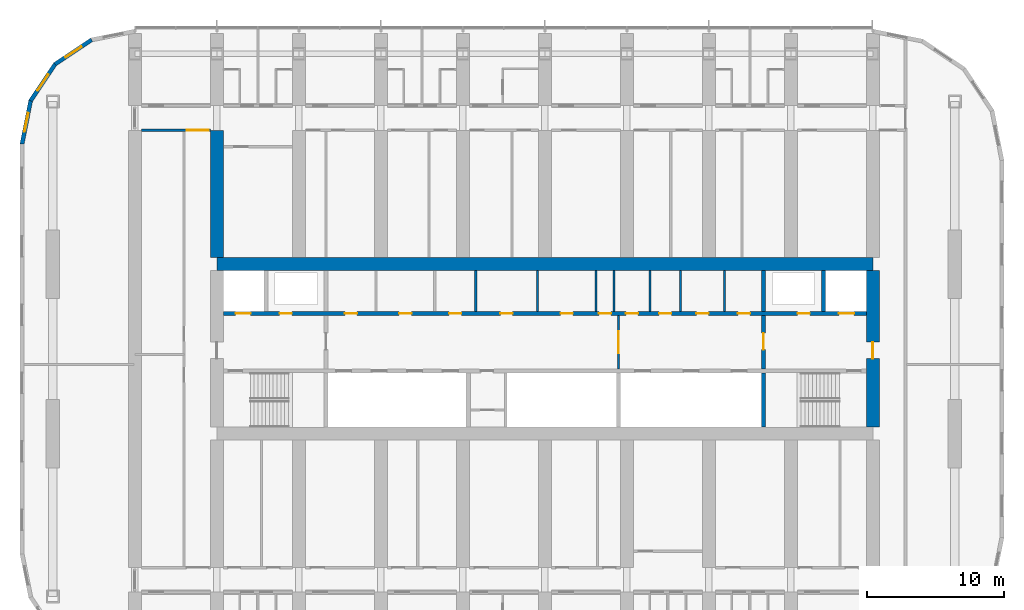
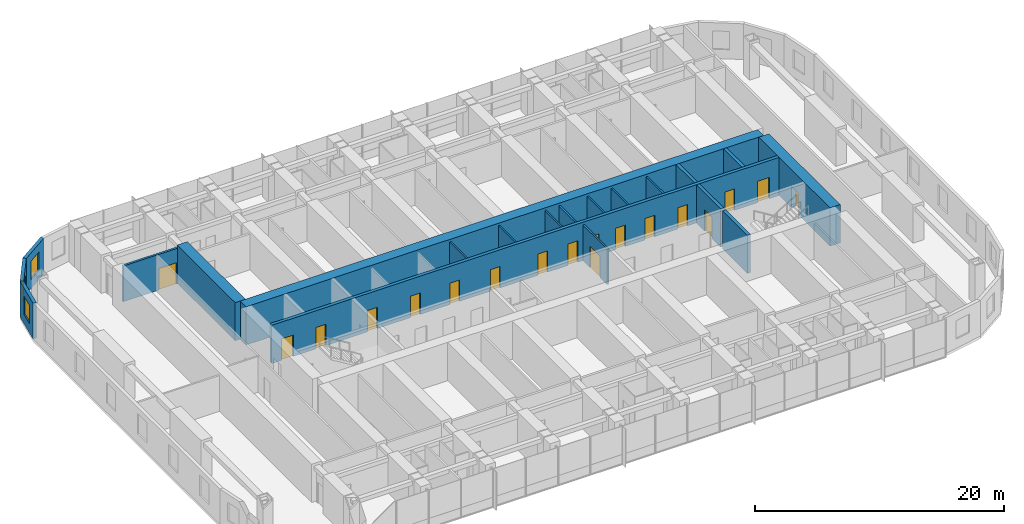
# One storey, part 12 of 21: 20 walls, 18 doors, 3 windows, 21 openings.
"""IFC4 building model written with IfcOpenShell, lengths in metres."""

from ifc_helpers import new_model, si_unit, direction, frame, frame_2d, origin, place, context, subcontext, project, spatial, polyline, rectangle, outline, extrude, material, layer, layer_set, type_object, element, fill, save


model = new_model("IFC4")

# Units and contexts
model_context = context("Model", 3, precision=1e-05, world=origin(), true_north=direction((0.0, 1.0)))
body_context = subcontext(model_context, "Body", "Model", "MODEL_VIEW")
ifc_project = project(units=[si_unit("LENGTHUNIT", "METRE"), si_unit("AREAUNIT", "SQUARE_METRE"), si_unit("VOLUMEUNIT", "CUBIC_METRE"), si_unit("PLANEANGLEUNIT", "RADIAN"), si_unit("MASSUNIT", "GRAM", prefix="KILO")], contexts=[model_context])

# Site, building, storey
site_placement = place(None, origin())
site = spatial("IfcSite", under=ifc_project, at=site_placement, CompositionType="ELEMENT")
building_placement = place(site_placement, origin())
building = spatial("IfcBuilding", under=site, at=building_placement, Name="Orbita Commons", CompositionType="ELEMENT")
storey_placement = place(building_placement, frame((0.0, 0.0, 125.64990234375)))
storey = spatial("IfcBuildingStorey", under=building, at=storey_placement, Name="L31", CompositionType="ELEMENT", Elevation=125.64990234375)

# Wall, openings, doors
ifc_material_1 = material(Name="Concrete C50/60", Category="concrete")
ifc_layer_1 = layer(ifc_material_1, 0.300048828125)
ifc_layer_set_1 = layer_set([ifc_layer_1], Name="Concrete C50/60")
wall_type_1 = type_object("IfcWallType", Name="Core inner wall 300 C50/60", PredefinedType="SHEAR", material=ifc_layer_set_1)
wall_1_placement = place(storey_placement, frame((18.47509765625, 34.60009765625, 0.0), z_axis=(0.0, 0.0, 1.0), x_axis=(1.0, 0.0, 0.0)))
wall_1 = element("IfcWall", 1, at=wall_1_placement, inside=storey, type_object=wall_type_1, Name="Lobby wall north L31", PredefinedType="SHEAR", context=body_context, shape_type="SweptSolid", body=[
    extrude(rectangle(XDim=47.0498046875, YDim=0.300048828125, at=frame_2d((23.52490234375, 0.0))), origin(), (0.0, 0.0, 1.0), 3.75),
])
opening_1_placement = place(wall_1_placement, frame((0.89990234375, 0.0, 0.0)))
opening_1 = element("IfcOpeningElement", 2, at=opening_1_placement, cuts=wall_1, Name="Opening LD01", PredefinedType="OPENING", context=body_context, shape_type="SweptSolid", body=[
    extrude(rectangle(XDim=1.10009765625, YDim=2.10009765625, at=frame_2d((0.550048828125, 1.050048828125))), frame((0.0, 0.159912109375, 0.0), z_axis=(0.0, -1.0, 0.0), x_axis=(1.0, 0.0, 0.0)), (0.0, 0.0, 1.0), 0.320068359375),
])
opening_2_placement = place(wall_1_placement, frame((45.050048828125, 0.0, 0.0)))
opening_2 = element("IfcOpeningElement", 3, at=opening_2_placement, cuts=wall_1, Name="Opening LD01", PredefinedType="OPENING", context=body_context, shape_type="SweptSolid", body=[
    extrude(rectangle(XDim=1.10009765625, YDim=2.10009765625, at=frame_2d((0.550048828125, 1.050048828125))), frame((0.0, 0.159912109375, 0.0), z_axis=(0.0, -1.0, 0.0), x_axis=(1.0, 0.0, 0.0)), (0.0, 0.0, 1.0), 0.320068359375),
])
opening_3_placement = place(wall_1_placement, frame((4.125, 0.0, 0.0)))
opening_3 = element("IfcOpeningElement", 4, at=opening_3_placement, cuts=wall_1, Name="Opening D03", PredefinedType="OPENING", context=body_context, shape_type="SweptSolid", body=[
    extrude(rectangle(XDim=0.89990234375, YDim=2.10009765625, at=frame_2d((0.449951171875, 1.050048828125))), frame((0.0, 0.159912109375, 0.0), z_axis=(0.0, -1.0, 0.0), x_axis=(1.0, 0.0, 0.0)), (0.0, 0.0, 1.0), 0.320068359375),
])
opening_4_placement = place(wall_1_placement, frame((42.02490234375, 0.0, 0.0)))
opening_4 = element("IfcOpeningElement", 5, at=opening_4_placement, cuts=wall_1, Name="Opening D03", PredefinedType="OPENING", context=body_context, shape_type="SweptSolid", body=[
    extrude(rectangle(XDim=0.89990234375, YDim=2.10009765625, at=frame_2d((0.449951171875, 1.050048828125))), frame((0.0, 0.159912109375, 0.0), z_axis=(0.0, -1.0, 0.0), x_axis=(1.0, 0.0, 0.0)), (0.0, 0.0, 1.0), 0.320068359375),
])
opening_5_placement = place(wall_1_placement, frame((8.900390625, 0.0, 0.0)))
opening_5 = element("IfcOpeningElement", 6, at=opening_5_placement, cuts=wall_1, Name="Opening D03", PredefinedType="OPENING", context=body_context, shape_type="SweptSolid", body=[
    extrude(rectangle(XDim=0.89990234375, YDim=2.10009765625, at=frame_2d((0.449951171875, 1.050048828125))), frame((0.0, 0.159912109375, 0.0), z_axis=(0.0, -1.0, 0.0), x_axis=(1.0, 0.0, 0.0)), (0.0, 0.0, 1.0), 0.320068359375),
])
opening_6_placement = place(wall_1_placement, frame((12.873779296875, 0.0, 0.0)))
opening_6 = element("IfcOpeningElement", 7, at=opening_6_placement, cuts=wall_1, Name="Opening D03", PredefinedType="OPENING", context=body_context, shape_type="SweptSolid", body=[
    extrude(rectangle(XDim=0.89990234375, YDim=2.10009765625, at=frame_2d((0.449951171875, 1.050048828125))), frame((0.0, 0.159912109375, 0.0), z_axis=(0.0, -1.0, 0.0), x_axis=(1.0, 0.0, 0.0)), (0.0, 0.0, 1.0), 0.320068359375),
])
opening_7_placement = place(wall_1_placement, frame((16.521240234375, 0.0, 0.0)))
opening_7 = element("IfcOpeningElement", 8, at=opening_7_placement, cuts=wall_1, Name="Opening D03", PredefinedType="OPENING", context=body_context, shape_type="SweptSolid", body=[
    extrude(rectangle(XDim=0.89990234375, YDim=2.10009765625, at=frame_2d((0.449951171875, 1.050048828125))), frame((0.0, 0.159912109375, 0.0), z_axis=(0.0, -1.0, 0.0), x_axis=(1.0, 0.0, 0.0)), (0.0, 0.0, 1.0), 0.320068359375),
])
opening_8_placement = place(wall_1_placement, frame((20.27978515625, 0.0, 0.0)))
opening_8 = element("IfcOpeningElement", 9, at=opening_8_placement, cuts=wall_1, Name="Opening D03", PredefinedType="OPENING", context=body_context, shape_type="SweptSolid", body=[
    extrude(rectangle(XDim=0.89990234375, YDim=2.10009765625, at=frame_2d((0.449951171875, 1.050048828125))), frame((0.0, 0.159912109375, 0.0), z_axis=(0.0, -1.0, 0.0), x_axis=(1.0, 0.0, 0.0)), (0.0, 0.0, 1.0), 0.320068359375),
])
opening_9_placement = place(wall_1_placement, frame((24.685791015625, 0.0, 0.0)))
opening_9 = element("IfcOpeningElement", 10, at=opening_9_placement, cuts=wall_1, Name="Opening D03", PredefinedType="OPENING", context=body_context, shape_type="SweptSolid", body=[
    extrude(rectangle(XDim=0.89990234375, YDim=2.10009765625, at=frame_2d((0.449951171875, 1.050048828125))), frame((0.0, 0.159912109375, 0.0), z_axis=(0.0, -1.0, 0.0), x_axis=(1.0, 0.0, 0.0)), (0.0, 0.0, 1.0), 0.320068359375),
])
opening_10_placement = place(wall_1_placement, frame((27.4833984375, 0.0, 0.0)))
opening_10 = element("IfcOpeningElement", 11, at=opening_10_placement, cuts=wall_1, Name="Opening D03", PredefinedType="OPENING", context=body_context, shape_type="SweptSolid", body=[
    extrude(rectangle(XDim=0.89990234375, YDim=2.10009765625, at=frame_2d((0.449951171875, 1.050048828125))), frame((0.0, 0.159912109375, 0.0), z_axis=(0.0, -1.0, 0.0), x_axis=(1.0, 0.0, 0.0)), (0.0, 0.0, 1.0), 0.320068359375),
])
opening_11_placement = place(wall_1_placement, frame((29.450439453125, 0.0, 0.0)))
opening_11 = element("IfcOpeningElement", 12, at=opening_11_placement, cuts=wall_1, Name="Opening D05", PredefinedType="OPENING", context=body_context, shape_type="SweptSolid", body=[
    extrude(rectangle(XDim=0.89990234375, YDim=2.10009765625, at=frame_2d((0.449951171875, 1.050048828125))), frame((0.0, 0.159912109375, 0.0), z_axis=(0.0, -1.0, 0.0), x_axis=(1.0, 0.0, 0.0)), (0.0, 0.0, 1.0), 0.320068359375),
])
opening_12_placement = place(wall_1_placement, frame((31.8818359375, 0.0, 0.0)))
opening_12 = element("IfcOpeningElement", 13, at=opening_12_placement, cuts=wall_1, Name="Opening D05", PredefinedType="OPENING", context=body_context, shape_type="SweptSolid", body=[
    extrude(rectangle(XDim=0.89990234375, YDim=2.10009765625, at=frame_2d((0.449951171875, 1.050048828125))), frame((0.0, 0.159912109375, 0.0), z_axis=(0.0, -1.0, 0.0), x_axis=(1.0, 0.0, 0.0)), (0.0, 0.0, 1.0), 0.320068359375),
])
opening_13_placement = place(wall_1_placement, frame((34.6171875, 0.0, 0.0)))
opening_13 = element("IfcOpeningElement", 14, at=opening_13_placement, cuts=wall_1, Name="Opening D05", PredefinedType="OPENING", context=body_context, shape_type="SweptSolid", body=[
    extrude(rectangle(XDim=0.89990234375, YDim=2.10009765625, at=frame_2d((0.449951171875, 1.050048828125))), frame((0.0, 0.159912109375, 0.0), z_axis=(0.0, -1.0, 0.0), x_axis=(1.0, 0.0, 0.0)), (0.0, 0.0, 1.0), 0.320068359375),
])
opening_14_placement = place(wall_1_placement, frame((37.656494140625, 0.0, 0.0)))
opening_14 = element("IfcOpeningElement", 15, at=opening_14_placement, cuts=wall_1, Name="Opening D03", PredefinedType="OPENING", context=body_context, shape_type="SweptSolid", body=[
    extrude(rectangle(XDim=0.89990234375, YDim=2.10009765625, at=frame_2d((0.449951171875, 1.050048828125))), frame((0.0, 0.159912109375, 0.0), z_axis=(0.0, -1.0, 0.0), x_axis=(1.0, 0.0, 0.0)), (0.0, 0.0, 1.0), 0.320068359375),
])
ifc_material_2 = material(Name="Steel-faced fire door leaf", Category="steel")
door_type_1 = type_object("IfcDoorType", Name="Firefighting lift landing door 1100x2100", OperationType="DOUBLE_DOOR_SLIDING", PredefinedType="DOOR", material=ifc_material_2)
door_1_placement = place(opening_1_placement, origin())
door_1 = element("IfcDoor", 16, at=door_1_placement, inside=storey, type_object=door_type_1, Name="Firefighting lift FL1 landing door", OperationType="DOUBLE_DOOR_SLIDING", OverallHeight=2.10009765625, OverallWidth=1.10009765625, PredefinedType="DOOR", context=body_context, shape_type="SweptSolid", body=[
    extrude(rectangle(XDim=1.10009765625, YDim=2.10009765625, at=frame_2d((0.550048828125, 1.050048828125))), frame((0.0, 0.02490234375, 0.0), z_axis=(0.0, -1.0, 0.0), x_axis=(1.0, 0.0, 0.0)), (0.0, 0.0, 1.0), 0.050048828125),
])
fill(opening_1, door_1)
door_2_placement = place(opening_2_placement, origin())
door_2 = element("IfcDoor", 17, at=door_2_placement, inside=storey, type_object=door_type_1, Name="Firefighting lift FL2 landing door", OperationType="DOUBLE_DOOR_SLIDING", OverallHeight=2.10009765625, OverallWidth=1.10009765625, PredefinedType="DOOR", context=body_context, shape_type="SweptSolid", body=[
    extrude(rectangle(XDim=1.10009765625, YDim=2.10009765625, at=frame_2d((0.550048828125, 1.050048828125))), frame((0.0, 0.02490234375, 0.0), z_axis=(0.0, -1.0, 0.0), x_axis=(1.0, 0.0, 0.0)), (0.0, 0.0, 1.0), 0.050048828125),
])
fill(opening_2, door_2)
ifc_material_3 = material(Name="Steel-faced fire door leaf", Category="steel")
door_type_2 = type_object("IfcDoorType", Name="Service door 20 min 900x2100", OperationType="SINGLE_SWING_LEFT", PredefinedType="DOOR", material=ifc_material_3)
door_3_placement = place(opening_11_placement, origin())
door_3 = element("IfcDoor", 18, at=door_3_placement, inside=storey, type_object=door_type_2, Name="Accessible WC door", OperationType="SINGLE_SWING_LEFT", OverallHeight=2.10009765625, OverallWidth=0.89990234375, PredefinedType="DOOR", context=body_context, shape_type="SweptSolid", body=[
    extrude(rectangle(XDim=0.89990234375, YDim=2.10009765625, at=frame_2d((0.449951171875, 1.050048828125))), frame((0.0, 0.02490234375, 0.0), z_axis=(0.0, -1.0, 0.0), x_axis=(1.0, 0.0, 0.0)), (0.0, 0.0, 1.0), 0.050048828125),
])
fill(opening_11, door_3)
door_4_placement = place(opening_12_placement, origin())
door_4 = element("IfcDoor", 19, at=door_4_placement, inside=storey, type_object=door_type_2, Name="Staff WC door", OperationType="SINGLE_SWING_LEFT", OverallHeight=2.10009765625, OverallWidth=0.89990234375, PredefinedType="DOOR", context=body_context, shape_type="SweptSolid", body=[
    extrude(rectangle(XDim=0.89990234375, YDim=2.10009765625, at=frame_2d((0.449951171875, 1.050048828125))), frame((0.0, 0.02490234375, 0.0), z_axis=(0.0, -1.0, 0.0), x_axis=(1.0, 0.0, 0.0)), (0.0, 0.0, 1.0), 0.050048828125),
])
fill(opening_12, door_4)
door_5_placement = place(opening_13_placement, origin())
door_5 = element("IfcDoor", 20, at=door_5_placement, inside=storey, type_object=door_type_2, Name="Guest pantry door", OperationType="SINGLE_SWING_LEFT", OverallHeight=2.10009765625, OverallWidth=0.89990234375, PredefinedType="DOOR", context=body_context, shape_type="SweptSolid", body=[
    extrude(rectangle(XDim=0.89990234375, YDim=2.10009765625, at=frame_2d((0.449951171875, 1.050048828125))), frame((0.0, 0.02490234375, 0.0), z_axis=(0.0, -1.0, 0.0), x_axis=(1.0, 0.0, 0.0)), (0.0, 0.0, 1.0), 0.050048828125),
])
fill(opening_13, door_5)
ifc_material_4 = material(Name="Steel-faced fire door leaf", Category="steel")
door_type_3 = type_object("IfcDoorType", Name="Shaft access door 90 min 900x2100", OperationType="SINGLE_SWING_LEFT", PredefinedType="DOOR", material=ifc_material_4)
door_6_placement = place(opening_3_placement, origin())
door_6 = element("IfcDoor", 21, at=door_6_placement, inside=storey, type_object=door_type_3, Name="Riser door west", OperationType="SINGLE_SWING_LEFT", OverallHeight=2.10009765625, OverallWidth=0.89990234375, PredefinedType="DOOR", context=body_context, shape_type="SweptSolid", body=[
    extrude(rectangle(XDim=0.89990234375, YDim=2.10009765625, at=frame_2d((0.449951171875, 1.050048828125))), frame((0.0, 0.02490234375, 0.0), z_axis=(0.0, -1.0, 0.0), x_axis=(1.0, 0.0, 0.0)), (0.0, 0.0, 1.0), 0.050048828125),
])
fill(opening_3, door_6)
door_7_placement = place(opening_4_placement, origin())
door_7 = element("IfcDoor", 22, at=door_7_placement, inside=storey, type_object=door_type_3, Name="Riser door east", OperationType="SINGLE_SWING_LEFT", OverallHeight=2.10009765625, OverallWidth=0.89990234375, PredefinedType="DOOR", context=body_context, shape_type="SweptSolid", body=[
    extrude(rectangle(XDim=0.89990234375, YDim=2.10009765625, at=frame_2d((0.449951171875, 1.050048828125))), frame((0.0, 0.02490234375, 0.0), z_axis=(0.0, -1.0, 0.0), x_axis=(1.0, 0.0, 0.0)), (0.0, 0.0, 1.0), 0.050048828125),
])
fill(opening_4, door_7)
door_8_placement = place(opening_5_placement, origin())
door_8 = element("IfcDoor", 23, at=door_8_placement, inside=storey, type_object=door_type_3, Name="Cleaners store door", OperationType="SINGLE_SWING_LEFT", OverallHeight=2.10009765625, OverallWidth=0.89990234375, PredefinedType="DOOR", context=body_context, shape_type="SweptSolid", body=[
    extrude(rectangle(XDim=0.89990234375, YDim=2.10009765625, at=frame_2d((0.449951171875, 1.050048828125))), frame((0.0, 0.02490234375, 0.0), z_axis=(0.0, -1.0, 0.0), x_axis=(1.0, 0.0, 0.0)), (0.0, 0.0, 1.0), 0.050048828125),
])
fill(opening_5, door_8)
door_9_placement = place(opening_6_placement, origin())
door_9 = element("IfcDoor", 24, at=door_9_placement, inside=storey, type_object=door_type_3, Name="Refuse chute room door", OperationType="SINGLE_SWING_LEFT", OverallHeight=2.10009765625, OverallWidth=0.89990234375, PredefinedType="DOOR", context=body_context, shape_type="SweptSolid", body=[
    extrude(rectangle(XDim=0.89990234375, YDim=2.10009765625, at=frame_2d((0.449951171875, 1.050048828125))), frame((0.0, 0.02490234375, 0.0), z_axis=(0.0, -1.0, 0.0), x_axis=(1.0, 0.0, 0.0)), (0.0, 0.0, 1.0), 0.050048828125),
])
fill(opening_6, door_9)
door_10_placement = place(opening_7_placement, origin())
door_10 = element("IfcDoor", 25, at=door_10_placement, inside=storey, type_object=door_type_3, Name="Electrical riser room door", OperationType="SINGLE_SWING_LEFT", OverallHeight=2.10009765625, OverallWidth=0.89990234375, PredefinedType="DOOR", context=body_context, shape_type="SweptSolid", body=[
    extrude(rectangle(XDim=0.89990234375, YDim=2.10009765625, at=frame_2d((0.449951171875, 1.050048828125))), frame((0.0, 0.02490234375, 0.0), z_axis=(0.0, -1.0, 0.0), x_axis=(1.0, 0.0, 0.0)), (0.0, 0.0, 1.0), 0.050048828125),
])
fill(opening_7, door_10)
door_11_placement = place(opening_8_placement, origin())
door_11 = element("IfcDoor", 26, at=door_11_placement, inside=storey, type_object=door_type_3, Name="IT room door", OperationType="SINGLE_SWING_LEFT", OverallHeight=2.10009765625, OverallWidth=0.89990234375, PredefinedType="DOOR", context=body_context, shape_type="SweptSolid", body=[
    extrude(rectangle(XDim=0.89990234375, YDim=2.10009765625, at=frame_2d((0.449951171875, 1.050048828125))), frame((0.0, 0.02490234375, 0.0), z_axis=(0.0, -1.0, 0.0), x_axis=(1.0, 0.0, 0.0)), (0.0, 0.0, 1.0), 0.050048828125),
])
fill(opening_8, door_11)
door_12_placement = place(opening_9_placement, origin())
door_12 = element("IfcDoor", 27, at=door_12_placement, inside=storey, type_object=door_type_3, Name="Communications room door", OperationType="SINGLE_SWING_LEFT", OverallHeight=2.10009765625, OverallWidth=0.89990234375, PredefinedType="DOOR", context=body_context, shape_type="SweptSolid", body=[
    extrude(rectangle(XDim=0.89990234375, YDim=2.10009765625, at=frame_2d((0.449951171875, 1.050048828125))), frame((0.0, 0.02490234375, 0.0), z_axis=(0.0, -1.0, 0.0), x_axis=(1.0, 0.0, 0.0)), (0.0, 0.0, 1.0), 0.050048828125),
])
fill(opening_9, door_12)
door_13_placement = place(opening_10_placement, origin())
door_13 = element("IfcDoor", 28, at=door_13_placement, inside=storey, type_object=door_type_3, Name="Stair pressurisation duct door", OperationType="SINGLE_SWING_LEFT", OverallHeight=2.10009765625, OverallWidth=0.89990234375, PredefinedType="DOOR", context=body_context, shape_type="SweptSolid", body=[
    extrude(rectangle(XDim=0.89990234375, YDim=2.10009765625, at=frame_2d((0.449951171875, 1.050048828125))), frame((0.0, 0.02490234375, 0.0), z_axis=(0.0, -1.0, 0.0), x_axis=(1.0, 0.0, 0.0)), (0.0, 0.0, 1.0), 0.050048828125),
])
fill(opening_10, door_13)
door_14_placement = place(opening_14_placement, origin())
door_14 = element("IfcDoor", 29, at=door_14_placement, inside=storey, type_object=door_type_3, Name="Linen store door", OperationType="SINGLE_SWING_LEFT", OverallHeight=2.10009765625, OverallWidth=0.89990234375, PredefinedType="DOOR", context=body_context, shape_type="SweptSolid", body=[
    extrude(rectangle(XDim=0.89990234375, YDim=2.10009765625, at=frame_2d((0.449951171875, 1.050048828125))), frame((0.0, 0.02490234375, 0.0), z_axis=(0.0, -1.0, 0.0), x_axis=(1.0, 0.0, 0.0)), (0.0, 0.0, 1.0), 0.050048828125),
])
fill(opening_14, door_14)

# Wall
wall_2_placement = place(storey_placement, frame((58.0, 26.27490234375, 0.0), z_axis=(0.0, 0.0, 1.0), x_axis=(0.0, 1.0, 0.0)))
element("IfcWall", 30, at=wall_2_placement, inside=storey, type_object=wall_type_1, Name="Stair S2 wall L31", PredefinedType="SHEAR", context=body_context, shape_type="SweptSolid", body=[
    extrude(rectangle(XDim=3.97509765625, YDim=0.300048828125, at=frame_2d((1.987548828125, 0.0))), origin(), (0.0, 0.0, 1.0), 3.75),
])

# Wall, opening, door
wall_3_placement = place(storey_placement, frame((58.0, 30.550048828125, 0.0), z_axis=(0.0, 0.0, 1.0), x_axis=(0.0, 1.0, 0.0)))
wall_3 = element("IfcWall", 31, at=wall_3_placement, inside=storey, type_object=wall_type_1, Name="Firefighting lobby wall east L31", PredefinedType="SHEAR", context=body_context, shape_type="SweptSolid", body=[
    extrude(rectangle(XDim=3.89990234375, YDim=0.300048828125, at=frame_2d((1.949951171875, 0.0))), origin(), (0.0, 0.0, 1.0), 3.75),
])
opening_15_placement = place(wall_3_placement, frame((1.39990234375, 0.0, 0.0)))
opening_15 = element("IfcOpeningElement", 32, at=opening_15_placement, cuts=wall_3, Name="Opening D04", PredefinedType="OPENING", context=body_context, shape_type="SweptSolid", body=[
    extrude(rectangle(XDim=1.199951171875, YDim=2.10009765625, at=frame_2d((0.60009765625, 1.050048828125))), frame((0.0, 0.159912109375, 0.0), z_axis=(0.0, -1.0, 0.0), x_axis=(1.0, 0.0, 0.0)), (0.0, 0.0, 1.0), 0.320068359375),
])
ifc_material_5 = material(Name="Steel-faced fire door leaf", Category="steel")
door_type_4 = type_object("IfcDoorType", Name="Service door 20 min 1200x2100", OperationType="SINGLE_SWING_LEFT", PredefinedType="DOOR", material=ifc_material_5)
door_15_placement = place(opening_15_placement, origin())
door_15 = element("IfcDoor", 33, at=door_15_placement, inside=storey, type_object=door_type_4, Name="Lift lobby door east", OperationType="SINGLE_SWING_LEFT", OverallHeight=2.10009765625, OverallWidth=1.199951171875, PredefinedType="DOOR", context=body_context, shape_type="SweptSolid", body=[
    extrude(rectangle(XDim=1.199951171875, YDim=2.10009765625, at=frame_2d((0.60009765625, 1.050048828125))), frame((0.0, 0.02490234375, 0.0), z_axis=(0.0, -1.0, 0.0), x_axis=(1.0, 0.0, 0.0)), (0.0, 0.0, 1.0), 0.050048828125),
])
fill(opening_15, door_15)

# Walls
for number, where, z_axis, x_axis, name in (
    (34, (62.39990234375, 34.75, 0.0), (0.0, 0.0, 1.0), (0.0, 1.0, 0.0), "Firefighting lift FL2 shaft wall L31"),
    (35, (58.0, 34.75, 0.0), (0.0, 0.0, 1.0), (0.0, 1.0, 0.0), "Riser wall east L31"),
):
    element("IfcWall", number, at=place(storey_placement, frame(where, z_axis=z_axis, x_axis=x_axis)), inside=storey, type_object=wall_type_1, Name=name, PredefinedType="SHEAR", context=body_context, shape_type="SweptSolid", body=[
        extrude(rectangle(XDim=2.97509765625, YDim=0.300048828125, at=frame_2d((1.487548828125, 0.0))), origin(), (0.0, 0.0, 1.0), 3.75),
    ])

# Wall, opening, door
ifc_material_6 = material(Name="Concrete blockwork", Category="masonry")
ifc_layer_2 = layer(ifc_material_6, 0.14990234375)
ifc_layer_set_2 = layer_set([ifc_layer_2], Name="Concrete blockwork")
wall_type_2 = type_object("IfcWallType", Name="Core partition 150 blockwork", PredefinedType="SOLIDWALL", material=ifc_layer_set_2)
wall_4_placement = place(storey_placement, frame((47.39990234375, 30.550048828125, 0.0), z_axis=(0.0, 0.0, 1.0), x_axis=(0.0, 1.0, 0.0)))
wall_4 = element("IfcWall", 36, at=wall_4_placement, inside=storey, type_object=wall_type_2, Name="Core partition 150 blockwork L31", PredefinedType="SOLIDWALL", context=body_context, shape_type="SweptSolid", body=[
    extrude(rectangle(XDim=3.89990234375, YDim=0.14990234375, at=frame_2d((1.949951171875, 0.0))), origin(), (0.0, 0.0, 1.0), 3.5),
])
opening_16_placement = place(wall_4_placement, frame((1.14990234375, 0.0, 0.0)))
opening_16 = element("IfcOpeningElement", 37, at=opening_16_placement, cuts=wall_4, Name="Opening D10", PredefinedType="OPENING", context=body_context, shape_type="SweptSolid", body=[
    extrude(rectangle(XDim=1.60009765625, YDim=2.10009765625, at=frame_2d((0.800048828125, 1.050048828125))), frame((0.0, 0.0849609375, 0.0), z_axis=(0.0, -1.0, 0.0), x_axis=(1.0, 0.0, 0.0)), (0.0, 0.0, 1.0), 0.169921875),
])
ifc_material_7 = material(Name="Steel-faced fire door leaf", Category="steel")
door_type_5 = type_object("IfcDoorType", Name="Double corridor door 20 min 1600x2100", OperationType="DOUBLE_DOOR_SINGLE_SWING", PredefinedType="DOOR", material=ifc_material_7)
door_16_placement = place(opening_16_placement, origin())
door_16 = element("IfcDoor", 38, at=door_16_placement, inside=storey, type_object=door_type_5, Name="Lift lobby screen doors", OperationType="DOUBLE_DOOR_SINGLE_SWING", OverallHeight=2.10009765625, OverallWidth=1.60009765625, PredefinedType="DOOR", context=body_context, shape_type="SweptSolid", body=[
    extrude(rectangle(XDim=1.60009765625, YDim=2.10009765625, at=frame_2d((0.800048828125, 1.050048828125))), frame((0.0, 0.02490234375, 0.0), z_axis=(0.0, -1.0, 0.0), x_axis=(1.0, 0.0, 0.0)), (0.0, 0.0, 1.0), 0.050048828125),
])
fill(opening_16, door_16)

# Walls
for number, where, z_axis, x_axis, name in (
    (39, (36.9462890625, 34.75, 0.0), (0.0, 0.0, 1.0), (0.0, 1.0, 0.0), "Core partition 150 blockwork L31"),
    (40, (41.463134765625, 34.75, 0.0), (0.0, 0.0, 1.0), (0.0, 1.0, 0.0), "Core partition 150 blockwork L31"),
    (41, (45.75830078125, 34.75, 0.0), (0.0, 0.0, 1.0), (0.0, 1.0, 0.0), "Core partition 150 blockwork L31"),
    (42, (47.058349609375, 34.75, 0.0), (0.0, 0.0, 1.0), (0.0, 1.0, 0.0), "Core partition 150 blockwork L31"),
    (43, (49.6923828125, 34.75, 0.0), (0.0, 0.0, 1.0), (0.0, 1.0, 0.0), "Core partition 150 blockwork L31"),
    (44, (51.92138671875, 34.75, 0.0), (0.0, 0.0, 1.0), (0.0, 1.0, 0.0), "Core partition 150 blockwork L31"),
    (45, (55.163330078125, 34.75, 0.0), (0.0, 0.0, 1.0), (0.0, 1.0, 0.0), "Core partition 150 blockwork L31"),
):
    element("IfcWall", number, at=place(storey_placement, frame(where, z_axis=z_axis, x_axis=x_axis)), inside=storey, type_object=wall_type_2, Name=name, PredefinedType="SOLIDWALL", context=body_context, shape_type="SweptSolid", body=[
        extrude(rectangle(XDim=2.97509765625, YDim=0.14990234375, at=frame_2d((1.487548828125, 0.0))), origin(), (0.0, 0.0, 1.0), 3.5),
    ])
ifc_material_8 = material(Name="Concrete C50/60", Category="concrete")
ifc_layer_3 = layer(ifc_material_8, 0.949951171875)
ifc_layer_set_3 = layer_set([ifc_layer_3], Name="Concrete C50/60")
wall_type_3 = type_object("IfcWallType", Name="Core wall 950 C50/60", PredefinedType="SHEAR", material=ifc_layer_set_3)
wall_5_placement = place(storey_placement, frame((18.0, 38.199951171875, 0.0), z_axis=(0.0, 0.0, 1.0), x_axis=(1.0, 0.0, 0.0)))
element("IfcWall", 46, at=wall_5_placement, inside=storey, type_object=wall_type_3, Name="Core spine wall north L31", PredefinedType="SHEAR", context=body_context, shape_type="SweptSolid", body=[
    extrude(rectangle(XDim=48.0, YDim=0.949951171875, at=frame_2d((24.0, 0.0))), origin(), (0.0, 0.0, 1.0), 3.75),
])

# Wall, opening, door
wall_6_placement = place(storey_placement, frame((66.0, 26.27490234375, 0.0), z_axis=(0.0, 0.0, 1.0), x_axis=(0.0, 1.0, 0.0)))
wall_6 = element("IfcWall", 47, at=wall_6_placement, inside=storey, type_object=wall_type_3, Name="Core end wall east L31", PredefinedType="SHEAR", context=body_context, shape_type="SweptSolid", body=[
    extrude(rectangle(XDim=11.4501953125, YDim=0.949951171875, at=frame_2d((5.72509765625, 0.0))), origin(), (0.0, 0.0, 1.0), 3.75),
])
opening_17_placement = place(wall_6_placement, frame((5.02490234375, 0.0, 0.0)))
opening_17 = element("IfcOpeningElement", 48, at=opening_17_placement, cuts=wall_6, Name="Opening D01", PredefinedType="OPENING", context=body_context, shape_type="SweptSolid", body=[
    extrude(rectangle(XDim=1.199951171875, YDim=2.10009765625, at=frame_2d((0.60009765625, 1.050048828125))), frame((0.0, 0.48486328125, 0.0), z_axis=(0.0, -1.0, 0.0), x_axis=(1.0, 0.0, 0.0)), (0.0, 0.0, 1.0), 0.969970703125),
])
ifc_material_9 = material(Name="Steel-faced fire door leaf", Category="steel")
door_type_6 = type_object("IfcDoorType", Name="Fire door 90 min 1200x2100", OperationType="SINGLE_SWING_LEFT", PredefinedType="DOOR", material=ifc_material_9)
door_17_placement = place(opening_17_placement, origin())
door_17 = element("IfcDoor", 49, at=door_17_placement, inside=storey, type_object=door_type_6, Name="Firefighting lobby east door", OperationType="SINGLE_SWING_LEFT", OverallHeight=2.10009765625, OverallWidth=1.199951171875, PredefinedType="DOOR", context=body_context, shape_type="SweptSolid", body=[
    extrude(rectangle(XDim=1.199951171875, YDim=2.10009765625, at=frame_2d((0.60009765625, 1.050048828125))), frame((0.0, 0.02490234375, 0.0), z_axis=(0.0, -1.0, 0.0), x_axis=(1.0, 0.0, 0.0)), (0.0, 0.0, 1.0), 0.050048828125),
])
fill(opening_17, door_17)

ifc_material_10 = material(Name="Hollow concrete block 200", Category="concrete")
ifc_layer_4 = layer(ifc_material_10, 0.199951171875)
ifc_layer_set_4 = layer_set([ifc_layer_4], Name="Hollow concrete block 200")
wall_type_4 = type_object("IfcWallType", Name="Corridor wall 200 hollow concrete block", PredefinedType="SOLIDWALL", material=ifc_layer_set_4)
wall_7_placement = place(storey_placement, frame((12.47509765625, 48.0, 0.0), z_axis=(0.0, 0.0, 1.0), x_axis=(1.0, 0.0, 0.0)))
wall_7 = element("IfcWall", 50, at=wall_7_placement, inside=storey, type_object=wall_type_4, Name="Corridor wall 200 hollow concrete block L31", PredefinedType="SOLIDWALL", context=body_context, shape_type="SweptSolid", body=[
    extrude(rectangle(XDim=5.0498046875, YDim=0.199951171875, at=frame_2d((2.52490234375, 0.0))), origin(), (0.0, 0.0, 1.0), 3.5),
])
opening_18_placement = place(wall_7_placement, frame((3.324951171875, 0.0, 0.0)))
opening_18 = element("IfcOpeningElement", 51, at=opening_18_placement, cuts=wall_7, Name="Opening D10", PredefinedType="OPENING", context=body_context, shape_type="SweptSolid", body=[
    extrude(rectangle(XDim=1.60009765625, YDim=2.10009765625, at=frame_2d((0.800048828125, 1.050048828125))), frame((0.0, 0.10986328125, 0.0), z_axis=(0.0, -1.0, 0.0), x_axis=(1.0, 0.0, 0.0)), (0.0, 0.0, 1.0), 0.219970703125),
])
door_18_placement = place(opening_18_placement, origin())
door_18 = element("IfcDoor", 52, at=door_18_placement, inside=storey, type_object=door_type_5, Name="Cross corridor doors", OperationType="DOUBLE_DOOR_SINGLE_SWING", OverallHeight=2.10009765625, OverallWidth=1.60009765625, PredefinedType="DOOR", context=body_context, shape_type="SweptSolid", body=[
    extrude(rectangle(XDim=1.60009765625, YDim=2.10009765625, at=frame_2d((0.800048828125, 1.050048828125))), frame((0.0, 0.02490234375, 0.0), z_axis=(0.0, -1.0, 0.0), x_axis=(1.0, 0.0, 0.0)), (0.0, 0.0, 1.0), 0.050048828125),
])
fill(opening_18, door_18)

# Wall
ifc_material_11 = material(Name="Concrete C50/60", Category="concrete")
ifc_layer_5 = layer(ifc_material_11, 0.949951171875)
ifc_layer_set_5 = layer_set([ifc_layer_5], Name="Concrete C50/60")
wall_type_5 = type_object("IfcWallType", Name="Cross wall 950 C50/60", PredefinedType="SHEAR", material=ifc_layer_set_5)
wall_8_placement = place(storey_placement, frame((18.0, 38.675048828125, 0.0), z_axis=(0.0, 0.0, 1.0), x_axis=(0.0, 1.0, 0.0)))
element("IfcWall", 53, at=wall_8_placement, inside=storey, type_object=wall_type_5, Name="Cross wall 4 north inner L31", PredefinedType="SHEAR", context=body_context, shape_type="SweptSolid", body=[
    extrude(rectangle(XDim=9.324951171875, YDim=0.949951171875, at=frame_2d((4.66259765625, 0.0))), origin(), (0.0, 0.0, 1.0), 3.75),
])

# Wall, opening, window
ifc_material_12 = material(Name="Precast concrete C40/50, white board-marked finish", Category="concrete")
ifc_layer_6 = layer(ifc_material_12, 0.300048828125)
ifc_layer_set_6 = layer_set([ifc_layer_6], Name="Precast concrete C40/50, white board-marked finish")
wall_type_6 = type_object("IfcWallType", Name="Precast concrete end shield 300", PredefinedType="SOLIDWALL", material=ifc_layer_set_6)
wall_9_placement = place(storey_placement, frame((8.843017578125, 54.6220703125, 0.0), z_axis=(0.0, 0.0, 1.0), x_axis=(-0.831443069936, -0.555609954424, 0.0)))
wall_9 = element("IfcWall", 54, at=wall_9_placement, inside=storey, type_object=wall_type_6, Name="End shield NW chord 2 L31", PredefinedType="SOLIDWALL", context=body_context, shape_type="SweptSolid", body=[
    extrude(outline(polyline([(-0.02978515625, -0.14990234375), (3.2490234375, -0.14990234375), (3.189453125, 0.14990234375), (0.02978515625, 0.14990234375), (-0.02978515625, -0.14990234375)])), origin(), (0.0, 0.0, 1.0), 3.5),
])
opening_19_placement = place(wall_9_placement, frame((0.909423828125, 0.0, 0.89990234375)))
opening_19 = element("IfcOpeningElement", 55, at=opening_19_placement, cuts=wall_9, Name="Opening W02", PredefinedType="OPENING", context=body_context, shape_type="SweptSolid", body=[
    extrude(rectangle(XDim=1.39990234375, YDim=1.800048828125, at=frame_2d((0.699951171875, 0.89990234375))), frame((0.0, 0.159912109375, 0.0), z_axis=(0.0, -1.0, 0.0), x_axis=(1.0, 0.0, 0.0)), (0.0, 0.0, 1.0), 0.320068359375),
])
ifc_material_13 = material(Name="Aluminium frame, clear double glazing", Category="aluminium")
window_type = type_object("IfcWindowType", Name="Deep-set window 1400x1800", PartitioningType="SINGLE_PANEL", PredefinedType="WINDOW", material=ifc_material_13)
window_1_placement = place(opening_19_placement, origin())
window_1 = element("IfcWindow", 56, at=window_1_placement, inside=storey, type_object=window_type, Name="Window L31-NW1", OverallHeight=1.800048828125, OverallWidth=1.39990234375, PartitioningType="SINGLE_PANEL", PredefinedType="WINDOW", context=body_context, shape_type="SweptSolid", body=[
    extrude(rectangle(XDim=1.39990234375, YDim=1.800048828125, at=frame_2d((0.699951171875, 0.89990234375))), frame((0.0, 0.030029296875, 0.0), z_axis=(0.0, -1.0, 0.0), x_axis=(1.0, 0.0, 0.0)), (0.0, 0.0, 1.0), 0.06005859375),
])
fill(opening_19, window_1)

wall_10_placement = place(storey_placement, frame((6.16650390625, 52.83349609375, 0.0), z_axis=(0.0, 0.0, 1.0), x_axis=(-0.555609954424, -0.831443069936, 0.0)))
wall_10 = element("IfcWall", 57, at=wall_10_placement, inside=storey, type_object=wall_type_6, Name="End shield NW chord 3 L31", PredefinedType="SOLIDWALL", context=body_context, shape_type="SweptSolid", body=[
    extrude(outline(polyline([(-0.02978515625, -0.14990234375), (3.2490234375, -0.14990234375), (3.189453125, 0.14990234375), (0.02978515625, 0.14990234375), (-0.02978515625, -0.14990234375)])), origin(), (0.0, 0.0, 1.0), 3.5),
])
opening_20_placement = place(wall_10_placement, frame((0.909423828125, 0.0, 0.89990234375)))
opening_20 = element("IfcOpeningElement", 58, at=opening_20_placement, cuts=wall_10, Name="Opening W02", PredefinedType="OPENING", context=body_context, shape_type="SweptSolid", body=[
    extrude(rectangle(XDim=1.39990234375, YDim=1.800048828125, at=frame_2d((0.699951171875, 0.89990234375))), frame((0.0, 0.159912109375, 0.0), z_axis=(0.0, -1.0, 0.0), x_axis=(1.0, 0.0, 0.0)), (0.0, 0.0, 1.0), 0.320068359375),
])
window_2_placement = place(opening_20_placement, origin())
window_2 = element("IfcWindow", 59, at=window_2_placement, inside=storey, type_object=window_type, Name="Window L31-NW2", OverallHeight=1.800048828125, OverallWidth=1.39990234375, PartitioningType="SINGLE_PANEL", PredefinedType="WINDOW", context=body_context, shape_type="SweptSolid", body=[
    extrude(rectangle(XDim=1.39990234375, YDim=1.800048828125, at=frame_2d((0.699951171875, 0.89990234375))), frame((0.0, 0.030029296875, 0.0), z_axis=(0.0, -1.0, 0.0), x_axis=(1.0, 0.0, 0.0)), (0.0, 0.0, 1.0), 0.06005859375),
])
fill(opening_20, window_2)

wall_11_placement = place(storey_placement, frame((4.3779296875, 50.156982421875, 0.0), z_axis=(0.0, 0.0, 1.0), x_axis=(-0.195080412259, -0.980787251524, 0.0)))
wall_11 = element("IfcWall", 60, at=wall_11_placement, inside=storey, type_object=wall_type_6, Name="End shield NW chord 4 L31", PredefinedType="SOLIDWALL", context=body_context, shape_type="SweptSolid", body=[
    extrude(outline(polyline([(-0.02978515625, -0.14990234375), (3.233642578125, -0.14990234375), (3.203857421875, 0.14990234375), (0.02978515625, 0.14990234375), (-0.02978515625, -0.14990234375)])), origin(), (0.0, 0.0, 1.0), 3.5),
])
opening_21_placement = place(wall_11_placement, frame((0.909423828125, 0.0, 0.89990234375)))
opening_21 = element("IfcOpeningElement", 61, at=opening_21_placement, cuts=wall_11, Name="Opening W02", PredefinedType="OPENING", context=body_context, shape_type="SweptSolid", body=[
    extrude(rectangle(XDim=1.39990234375, YDim=1.800048828125, at=frame_2d((0.699951171875, 0.89990234375))), frame((0.0, 0.159912109375, 0.0), z_axis=(0.0, -1.0, 0.0), x_axis=(1.0, 0.0, 0.0)), (0.0, 0.0, 1.0), 0.320068359375),
])
window_3_placement = place(opening_21_placement, origin())
window_3 = element("IfcWindow", 62, at=window_3_placement, inside=storey, type_object=window_type, Name="Window L31-NW3", OverallHeight=1.800048828125, OverallWidth=1.39990234375, PartitioningType="SINGLE_PANEL", PredefinedType="WINDOW", context=body_context, shape_type="SweptSolid", body=[
    extrude(rectangle(XDim=1.39990234375, YDim=1.800048828125, at=frame_2d((0.699951171875, 0.89990234375))), frame((0.0, 0.030029296875, 0.0), z_axis=(0.0, -1.0, 0.0), x_axis=(1.0, 0.0, 0.0)), (0.0, 0.0, 1.0), 0.06005859375),
])
fill(opening_21, window_3)

save(model, "model.ifc")
